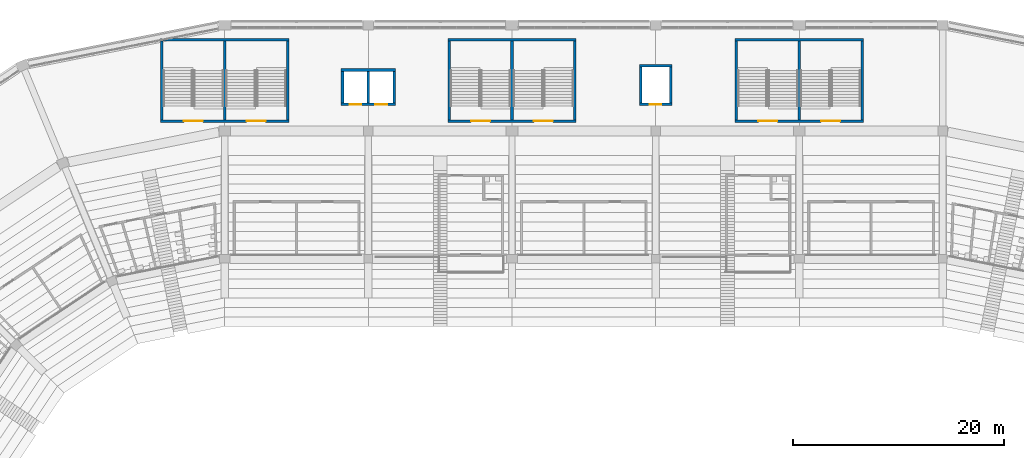
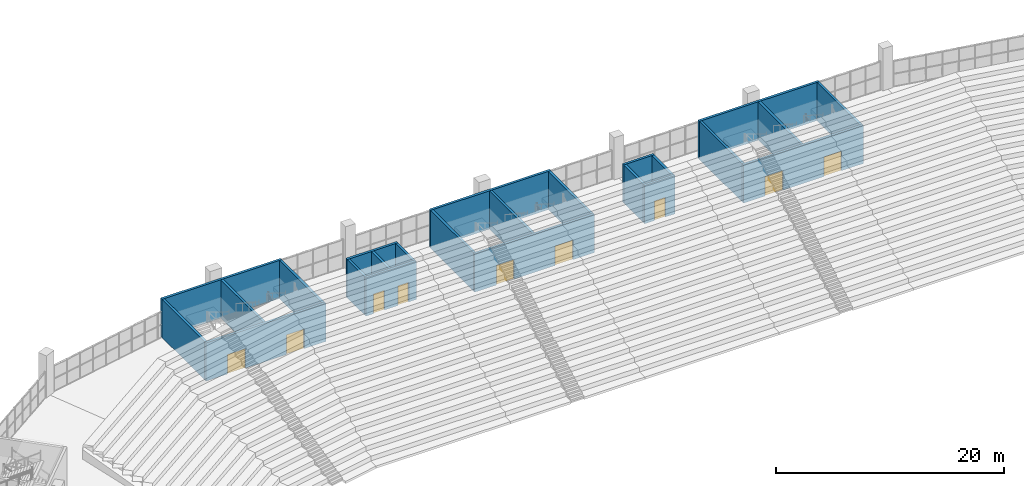
# One storey, part 97 of 249: 24 walls, 9 doors, 9 openings.
"""IFC4 building model written with IfcOpenShell, lengths in metres."""

import ifcopenshell
import ifcopenshell.guid

model = None  # the IFC model being written
_history = None  # IfcOwnerHistory: only IFC2X3 demands one
_inside = {}  # id of a spatial element -> (the spatial element, [elements in it])
_under = {}  # id of a project, library or spatial element -> (it, [spatial elements below it])
_declared = {}  # id of a project -> (the project, [libraries it declares])
_typed = {}  # id of a type object -> (the type object, [elements of that type])
_made_of = {}  # id of a material, layer set ... -> (it, [elements and type objects made of it])


def new_model(schema):
    """Start an empty IFC model of exactly this schema.

    Asked for "IFC4X3", IfcOpenShell would pick the latest addendum, in which some entities
    have other attributes; the version numbers below select the first issue.
    IFC2X3 requires an IfcOwnerHistory on every rooted entity: one is made here for all.
    """
    global model, _history
    if schema == "IFC4X3":
        model = ifcopenshell.file(schema_version=(4, 3, 0, 0))
    else:
        model = ifcopenshell.file(schema=schema)
    _inside.clear()
    _under.clear()
    _declared.clear()
    _typed.clear()
    _made_of.clear()
    _history = None
    if model.schema == "IFC2X3":
        org = make("IfcOrganization", Name="unknown")
        user = make(
            "IfcPersonAndOrganization",
            ThePerson=make("IfcPerson", FamilyName="unknown"),
            TheOrganization=org,
        )
        app = make(
            "IfcApplication",
            ApplicationDeveloper=org,
            Version="unknown",
            ApplicationFullName="unknown",
            ApplicationIdentifier="unknown",
        )
        _history = make(
            "IfcOwnerHistory",
            OwningUser=user,
            OwningApplication=app,
            ChangeAction="ADDED",
            CreationDate=0,
        )
    return model


def make(cls, **values):
    """One entity of the class cls with the attributes given. An attribute that is None is left unset."""
    return model.create_entity(
        cls, **{name: value for name, value in values.items() if value is not None}
    )


def rooted(cls, **values):
    """An entity with a GlobalId (a new one), such as an element, a storey or a relation."""
    return make(cls, GlobalId=ifcopenshell.guid.new(), OwnerHistory=_history, **values)


def si_unit(unit_type, name, prefix=None):
    """IfcSIUnit, for example si_unit("LENGTHUNIT", "METRE", prefix="MILLI")."""
    return make("IfcSIUnit", UnitType=unit_type, Prefix=prefix, Name=name)


def assignment(units):
    """IfcUnitAssignment: the units of a project."""
    return None if units is None else make("IfcUnitAssignment", Units=units)


def point(xyz):
    """IfcCartesianPoint."""
    return None if xyz is None else make("IfcCartesianPoint", Coordinates=xyz)


def direction(xyz):
    """IfcDirection."""
    return None if xyz is None else make("IfcDirection", DirectionRatios=xyz)


def frame(location, z_axis=None, x_axis=None):
    """IfcAxis2Placement3D, a coordinate frame: its origin and axes. An axis left out is left unset."""
    return make(
        "IfcAxis2Placement3D",
        Location=point(location),
        Axis=direction(z_axis),
        RefDirection=direction(x_axis),
    )


def frame_2d(location, x_axis=None):
    """IfcAxis2Placement2D, a coordinate frame in the plane: its origin and x axis."""
    return make(
        "IfcAxis2Placement2D", Location=point(location), RefDirection=direction(x_axis)
    )


def origin():
    """The frame at (0, 0, 0) with its axes left unset."""
    return frame((0.0, 0.0, 0.0))


def place(relative_to, where):
    """IfcLocalPlacement: puts the frame where relative to a parent placement (None: the world)."""
    return make(
        "IfcLocalPlacement", PlacementRelTo=relative_to, RelativePlacement=where
    )


def context(
    kind, dimensions, precision=None, world=None, true_north=None, identifier=None
):
    """IfcGeometricRepresentationContext, for example the 3D "Model" context."""
    return make(
        "IfcGeometricRepresentationContext",
        ContextIdentifier=identifier,
        ContextType=kind,
        CoordinateSpaceDimension=dimensions,
        Precision=precision,
        WorldCoordinateSystem=world,
        TrueNorth=true_north,
    )


def subcontext(parent, identifier, kind, view, scale=None):
    """IfcGeometricRepresentationSubContext, for example "Body" below "Model"."""
    return make(
        "IfcGeometricRepresentationSubContext",
        ContextIdentifier=identifier,
        ContextType=kind,
        ParentContext=parent,
        TargetScale=scale,
        TargetView=view,
    )


def project(units=None, contexts=None):
    """IfcProject with its units and contexts."""
    return rooted(
        "IfcProject",
        Name="project",
        RepresentationContexts=contexts,
        UnitsInContext=assignment(units),
    )


def spatial(cls, under=None, at=None, **own):
    """A site, building, storey or space (cls), placed at a placement, below another one or the project."""
    s = rooted(cls, ObjectPlacement=at, **own)
    if under is not None:
        _under.setdefault(under.id(), (under, []))[1].append(s)
    return s


def profile(cls, at=None, kind="AREA", **sizes):
    """A parametric profile (cls). Its sizes go by their IFC names, for example OverallWidth=200.0."""
    return make(cls, ProfileType=kind, Position=at, **sizes)


def rectangle(**sizes):
    """IfcRectangleProfileDef."""
    return profile("IfcRectangleProfileDef", **sizes)


def extrude(swept, where, along, depth):
    """IfcExtrudedAreaSolid: the profile swept, set in the frame where, extruded along a direction by depth."""
    return make(
        "IfcExtrudedAreaSolid",
        SweptArea=swept,
        Position=where,
        ExtrudedDirection=direction(along),
        Depth=depth,
    )


def shape(context_of_items, identifier, shape_type, items):
    """IfcShapeRepresentation: the items that make up one representation, for example the "Body"."""
    return make(
        "IfcShapeRepresentation",
        ContextOfItems=context_of_items,
        RepresentationIdentifier=identifier,
        RepresentationType=shape_type,
        Items=items,
    )


def material(Name=None, Category=None):
    """IfcMaterial."""
    return make("IfcMaterial", Name=Name, Category=Category)


def layer(
    of_material, thickness, ventilated=None, Name=None, Category=None, Priority=None
):
    """IfcMaterialLayer: one layer of a wall or slab, of a material (None: an air gap)."""
    return make(
        "IfcMaterialLayer",
        Material=of_material,
        LayerThickness=thickness,
        IsVentilated=ventilated,
        Name=Name,
        Category=Category,
        Priority=Priority,
    )


def layer_set(layers, Name=None):
    """IfcMaterialLayerSet."""
    return make("IfcMaterialLayerSet", MaterialLayers=layers, LayerSetName=Name)


def made_of(thing, what):
    """Note that an element or type object is made of a material, layer set ...; save() writes the relation."""
    if what is not None:
        _made_of.setdefault(what.id(), (what, []))[1].append(thing)
    return thing


def type_object(cls, material=None, **own):
    """A type object (cls), such as IfcWallType, which elements share."""
    return made_of(rooted(cls, **own), material)


def element(
    cls,
    number,
    at=None,
    inside=None,
    cuts=None,
    type_object=None,
    material=None,
    context=None,
    identifier="Body",
    shape_type=None,
    held_by="IfcProductDefinitionShape",
    body=None,
    shapes=None,
    **own,
):
    """One element of the class cls, such as IfcWall. Its Tag is "e" and its number.

    at: its placement. inside: the storey or other place that contains it. cuts: it is an
    opening in that element (IfcRelVoidsElement). A single representation is given by context,
    identifier, shape_type and body (its items); several are given by shapes. held_by: the class
    of the entity that holds the representations. save() writes the other relations.
    """
    e = rooted(cls, Tag="e%d" % number, ObjectPlacement=at, **own)
    if body is not None:
        shapes = [shape(context, identifier, shape_type, body)]
    if shapes is not None:
        e.Representation = make(held_by, Representations=shapes)
    if inside is not None:
        _inside.setdefault(inside.id(), (inside, []))[1].append(e)
    if cuts is not None:
        rooted(
            "IfcRelVoidsElement", RelatingBuildingElement=cuts, RelatedOpeningElement=e
        )
    if type_object is not None:
        _typed.setdefault(type_object.id(), (type_object, []))[1].append(e)
    return made_of(e, material)


def fill(opening, filler):
    """IfcRelFillsElement: the door or window that sits in an opening."""
    return rooted(
        "IfcRelFillsElement",
        RelatingOpeningElement=opening,
        RelatedBuildingElement=filler,
    )


def aggregate(whole, parts):
    """IfcRelAggregates: a whole, such as a stair, and the parts it consists of."""
    return rooted("IfcRelAggregates", RelatingObject=whole, RelatedObjects=parts)


def save(model, path):
    """Write the relations noted so far, then the file.

    IfcRelAggregates (storeys below a building ...), IfcRelContainedInSpatialStructure (elements
    in a storey), IfcRelDefinesByType, IfcRelAssociatesMaterial and IfcRelDeclares: one each for
    every whole, place, type object, material and project.
    """
    for whole, parts in _under.values():
        aggregate(whole, parts)
    for where, things in _inside.values():
        rooted(
            "IfcRelContainedInSpatialStructure",
            RelatedElements=things,
            RelatingStructure=where,
        )
    for kind, things in _typed.values():
        rooted("IfcRelDefinesByType", RelatedObjects=things, RelatingType=kind)
    for what, things in _made_of.values():
        rooted("IfcRelAssociatesMaterial", RelatedObjects=things, RelatingMaterial=what)
    for by, libraries in _declared.values():
        rooted("IfcRelDeclares", RelatingContext=by, RelatedDefinitions=libraries)
    model.write(path)


model = new_model("IFC4")

# Units and contexts
model_context = context("Model", 3, precision=1e-05, world=origin(), true_north=direction((0.0, 1.0)))
body_context = subcontext(model_context, "Body", "Model", "MODEL_VIEW")
ifc_project = project(units=[si_unit("LENGTHUNIT", "METRE"), si_unit("AREAUNIT", "SQUARE_METRE"), si_unit("VOLUMEUNIT", "CUBIC_METRE"), si_unit("PLANEANGLEUNIT", "RADIAN"), si_unit("MASSUNIT", "GRAM", prefix="KILO")], contexts=[model_context])

# Site, building, storey
site_placement = place(None, origin())
site = spatial("IfcSite", under=ifc_project, at=site_placement, CompositionType="ELEMENT")
building_placement = place(site_placement, origin())
building = spatial("IfcBuilding", under=site, at=building_placement, Name="Ogive Plaza Stadium", CompositionType="ELEMENT")
storey_placement = place(building_placement, frame((0.0, 0.0, 13.5)))
storey = spatial("IfcBuildingStorey", under=building, at=storey_placement, Name="L03", CompositionType="ELEMENT", Elevation=13.5)

# Wall, openings, doors
ifc_material_1 = material(Name="Concrete C40/50", Category="concrete")
ifc_layer = layer(ifc_material_1, 0.25)
ifc_layer_set = layer_set([ifc_layer], Name="Concrete C40/50")
wall_type = type_object("IfcWallType", Name="Core wall 250", PredefinedType="SHEAR", material=ifc_layer_set)
wall_1_placement = place(storey_placement, frame((-27.925048828125, 93.425048828125, 0.0), z_axis=(0.0, 0.0, 1.0), x_axis=(-1.0, 0.0, 0.0)))
wall_1 = element("IfcWall", 1, at=wall_1_placement, inside=storey, type_object=wall_type, Name="Stair core R32 inner wall", PredefinedType="SHEAR", context=body_context, shape_type="SweptSolid", body=[
    extrude(rectangle(XDim=12.14990234375, YDim=0.25, at=frame_2d((6.074951171875, 0.0))), origin(), (0.0, 0.0, 1.0), 4.090087890625),
])
opening_1_placement = place(wall_1_placement, frame((2.199951171875, 0.0, 0.0)))
opening_1 = element("IfcOpeningElement", 2, at=opening_1_placement, cuts=wall_1, Name="Opening D0241", PredefinedType="OPENING", context=body_context, shape_type="SweptSolid", body=[
    extrude(rectangle(XDim=1.800048828125, YDim=2.10009765625, at=frame_2d((0.89990234375, 1.050048828125))), frame((0.0, 0.125, 0.0), z_axis=(0.0, -1.0, 0.0), x_axis=(1.0, 0.0, 0.0)), (0.0, 0.0, 1.0), 0.25),
])
opening_2_placement = place(wall_1_placement, frame((8.14990234375, 0.0, 0.0)))
opening_2 = element("IfcOpeningElement", 3, at=opening_2_placement, cuts=wall_1, Name="Opening D0242", PredefinedType="OPENING", context=body_context, shape_type="SweptSolid", body=[
    extrude(rectangle(XDim=1.800048828125, YDim=2.10009765625, at=frame_2d((0.89990234375, 1.050048828125))), frame((0.0, 0.125, 0.0), z_axis=(0.0, -1.0, 0.0), x_axis=(1.0, 0.0, 0.0)), (0.0, 0.0, 1.0), 0.25),
])
ifc_material_2 = material(Name="Steel ASTM A572 Grade 50", Category="steel")
door_type_1 = type_object("IfcDoorType", Name="Fire door FD90 pair 1800 x 2100", OperationType="DOUBLE_DOOR_SINGLE_SWING", PredefinedType="DOOR", material=ifc_material_2)
door_1_placement = place(opening_1_placement, origin())
door_1 = element("IfcDoor", 4, at=door_1_placement, inside=storey, type_object=door_type_1, Name="Exit stair R32A door L03", OperationType="DOUBLE_DOOR_SINGLE_SWING", OverallHeight=2.10009765625, OverallWidth=1.800048828125, PredefinedType="DOOR", context=body_context, shape_type="SweptSolid", body=[
    extrude(rectangle(XDim=1.800048828125, YDim=2.10009765625, at=frame_2d((0.89990234375, 1.050048828125))), frame((0.0, 0.02490234375, 0.0), z_axis=(0.0, -1.0, 0.0), x_axis=(1.0, 0.0, 0.0)), (0.0, 0.0, 1.0), 0.050048828125),
])
fill(opening_1, door_1)
door_2_placement = place(opening_2_placement, origin())
door_2 = element("IfcDoor", 5, at=door_2_placement, inside=storey, type_object=door_type_1, Name="Exit stair R32B door L03", OperationType="DOUBLE_DOOR_SINGLE_SWING", OverallHeight=2.10009765625, OverallWidth=1.800048828125, PredefinedType="DOOR", context=body_context, shape_type="SweptSolid", body=[
    extrude(rectangle(XDim=1.800048828125, YDim=2.10009765625, at=frame_2d((0.89990234375, 1.050048828125))), frame((0.0, 0.02490234375, 0.0), z_axis=(0.0, -1.0, 0.0), x_axis=(1.0, 0.0, 0.0)), (0.0, 0.0, 1.0), 0.050048828125),
])
fill(opening_2, door_2)

# Walls
wall_2_placement = place(storey_placement, frame((-27.925048828125, 101.135009765625, 0.0), z_axis=(0.0, 0.0, 1.0), x_axis=(-1.0, 0.0, 0.0)))
element("IfcWall", 6, at=wall_2_placement, inside=storey, type_object=wall_type, Name="Stair core R32 outer wall", PredefinedType="SHEAR", context=body_context, shape_type="SweptSolid", body=[
    extrude(rectangle(XDim=12.14990234375, YDim=0.25, at=frame_2d((6.074951171875, 0.0))), origin(), (0.0, 0.0, 1.0), 4.090087890625),
])
for number, where, z_axis, x_axis, name in (
    (7, (-28.050048828125, 93.550048828125, 0.0), (0.0, 0.0, 1.0), (0.0, 1.0, 0.0), "Stair core R32 side wall"),
    (8, (-39.949951171875, 93.550048828125, 0.0), (0.0, 0.0, 1.0), (0.0, 1.0, 0.0), "Stair core R32 side wall"),
    (9, (-34.0, 93.550048828125, 0.0), (0.0, 0.0, 1.0), (0.0, 1.0, 0.0), "Stair core R32 centre wall"),
):
    element("IfcWall", number, at=place(storey_placement, frame(where, z_axis=z_axis, x_axis=x_axis)), inside=storey, type_object=wall_type, Name=name, PredefinedType="SHEAR", context=body_context, shape_type="SweptSolid", body=[
        extrude(rectangle(XDim=7.4599609375, YDim=0.25, at=frame_2d((3.72998046875, 0.0))), origin(), (0.0, 0.0, 1.0), 4.090087890625),
    ])

# Wall, openings, doors
wall_3_placement = place(storey_placement, frame((-0.72509765625, 93.425048828125, 0.0), z_axis=(0.0, 0.0, 1.0), x_axis=(-1.0, 0.0, 0.0)))
wall_3 = element("IfcWall", 10, at=wall_3_placement, inside=storey, type_object=wall_type, Name="Stair core R34 inner wall", PredefinedType="SHEAR", context=body_context, shape_type="SweptSolid", body=[
    extrude(rectangle(XDim=12.14990234375, YDim=0.25, at=frame_2d((6.074951171875, 0.0))), origin(), (0.0, 0.0, 1.0), 4.090087890625),
])
opening_3_placement = place(wall_3_placement, frame((2.199951171875, 0.0, 0.0)))
opening_3 = element("IfcOpeningElement", 11, at=opening_3_placement, cuts=wall_3, Name="Opening D0253", PredefinedType="OPENING", context=body_context, shape_type="SweptSolid", body=[
    extrude(rectangle(XDim=1.800048828125, YDim=2.10009765625, at=frame_2d((0.89990234375, 1.050048828125))), frame((0.0, 0.125, 0.0), z_axis=(0.0, -1.0, 0.0), x_axis=(1.0, 0.0, 0.0)), (0.0, 0.0, 1.0), 0.25),
])
opening_4_placement = place(wall_3_placement, frame((8.14990234375, 0.0, 0.0)))
opening_4 = element("IfcOpeningElement", 12, at=opening_4_placement, cuts=wall_3, Name="Opening D0254", PredefinedType="OPENING", context=body_context, shape_type="SweptSolid", body=[
    extrude(rectangle(XDim=1.800048828125, YDim=2.10009765625, at=frame_2d((0.89990234375, 1.050048828125))), frame((0.0, 0.125, 0.0), z_axis=(0.0, -1.0, 0.0), x_axis=(1.0, 0.0, 0.0)), (0.0, 0.0, 1.0), 0.25),
])
door_3_placement = place(opening_3_placement, origin())
door_3 = element("IfcDoor", 13, at=door_3_placement, inside=storey, type_object=door_type_1, Name="Exit stair R34A door L03", OperationType="DOUBLE_DOOR_SINGLE_SWING", OverallHeight=2.10009765625, OverallWidth=1.800048828125, PredefinedType="DOOR", context=body_context, shape_type="SweptSolid", body=[
    extrude(rectangle(XDim=1.800048828125, YDim=2.10009765625, at=frame_2d((0.89990234375, 1.050048828125))), frame((0.0, 0.02490234375, 0.0), z_axis=(0.0, -1.0, 0.0), x_axis=(1.0, 0.0, 0.0)), (0.0, 0.0, 1.0), 0.050048828125),
])
fill(opening_3, door_3)
door_4_placement = place(opening_4_placement, origin())
door_4 = element("IfcDoor", 14, at=door_4_placement, inside=storey, type_object=door_type_1, Name="Exit stair R34B door L03", OperationType="DOUBLE_DOOR_SINGLE_SWING", OverallHeight=2.10009765625, OverallWidth=1.800048828125, PredefinedType="DOOR", context=body_context, shape_type="SweptSolid", body=[
    extrude(rectangle(XDim=1.800048828125, YDim=2.10009765625, at=frame_2d((0.89990234375, 1.050048828125))), frame((0.0, 0.02490234375, 0.0), z_axis=(0.0, -1.0, 0.0), x_axis=(1.0, 0.0, 0.0)), (0.0, 0.0, 1.0), 0.050048828125),
])
fill(opening_4, door_4)

# Walls
wall_4_placement = place(storey_placement, frame((-0.72509765625, 101.135009765625, 0.0), z_axis=(0.0, 0.0, 1.0), x_axis=(-1.0, 0.0, 0.0)))
element("IfcWall", 15, at=wall_4_placement, inside=storey, type_object=wall_type, Name="Stair core R34 outer wall", PredefinedType="SHEAR", context=body_context, shape_type="SweptSolid", body=[
    extrude(rectangle(XDim=12.14990234375, YDim=0.25, at=frame_2d((6.074951171875, 0.0))), origin(), (0.0, 0.0, 1.0), 4.090087890625),
])
for number, where, z_axis, x_axis, name in (
    (16, (-0.85009765625, 93.550048828125, 0.0), (0.0, 0.0, 1.0), (0.0, 1.0, 0.0), "Stair core R34 side wall"),
    (17, (-12.75, 93.550048828125, 0.0), (0.0, 0.0, 1.0), (0.0, 1.0, 0.0), "Stair core R34 side wall"),
    (18, (-6.800048828125, 93.550048828125, 0.0), (0.0, 0.0, 1.0), (0.0, 1.0, 0.0), "Stair core R34 centre wall"),
):
    element("IfcWall", number, at=place(storey_placement, frame(where, z_axis=z_axis, x_axis=x_axis)), inside=storey, type_object=wall_type, Name=name, PredefinedType="SHEAR", context=body_context, shape_type="SweptSolid", body=[
        extrude(rectangle(XDim=7.4599609375, YDim=0.25, at=frame_2d((3.72998046875, 0.0))), origin(), (0.0, 0.0, 1.0), 4.090087890625),
    ])

# Wall, openings, doors
wall_5_placement = place(storey_placement, frame((26.47509765625, 93.425048828125, 0.0), z_axis=(0.0, 0.0, 1.0), x_axis=(-1.0, 0.0, 0.0)))
wall_5 = element("IfcWall", 19, at=wall_5_placement, inside=storey, type_object=wall_type, Name="Stair core R36 inner wall", PredefinedType="SHEAR", context=body_context, shape_type="SweptSolid", body=[
    extrude(rectangle(XDim=12.150146484375, YDim=0.25, at=frame_2d((6.0751953125, 0.0))), origin(), (0.0, 0.0, 1.0), 4.090087890625),
])
opening_5_placement = place(wall_5_placement, frame((2.199951171875, 0.0, 0.0)))
opening_5 = element("IfcOpeningElement", 20, at=opening_5_placement, cuts=wall_5, Name="Opening D0267", PredefinedType="OPENING", context=body_context, shape_type="SweptSolid", body=[
    extrude(rectangle(XDim=1.800048828125, YDim=2.10009765625, at=frame_2d((0.89990234375, 1.050048828125))), frame((0.0, 0.125, 0.0), z_axis=(0.0, -1.0, 0.0), x_axis=(1.0, 0.0, 0.0)), (0.0, 0.0, 1.0), 0.25),
])
opening_6_placement = place(wall_5_placement, frame((8.14990234375, 0.0, 0.0)))
opening_6 = element("IfcOpeningElement", 21, at=opening_6_placement, cuts=wall_5, Name="Opening D0268", PredefinedType="OPENING", context=body_context, shape_type="SweptSolid", body=[
    extrude(rectangle(XDim=1.800048828125, YDim=2.10009765625, at=frame_2d((0.89990234375, 1.050048828125))), frame((0.0, 0.125, 0.0), z_axis=(0.0, -1.0, 0.0), x_axis=(1.0, 0.0, 0.0)), (0.0, 0.0, 1.0), 0.25),
])
door_5_placement = place(opening_5_placement, origin())
door_5 = element("IfcDoor", 22, at=door_5_placement, inside=storey, type_object=door_type_1, Name="Exit stair R36A door L03", OperationType="DOUBLE_DOOR_SINGLE_SWING", OverallHeight=2.10009765625, OverallWidth=1.800048828125, PredefinedType="DOOR", context=body_context, shape_type="SweptSolid", body=[
    extrude(rectangle(XDim=1.800048828125, YDim=2.10009765625, at=frame_2d((0.89990234375, 1.050048828125))), frame((0.0, 0.02490234375, 0.0), z_axis=(0.0, -1.0, 0.0), x_axis=(1.0, 0.0, 0.0)), (0.0, 0.0, 1.0), 0.050048828125),
])
fill(opening_5, door_5)
door_6_placement = place(opening_6_placement, origin())
door_6 = element("IfcDoor", 23, at=door_6_placement, inside=storey, type_object=door_type_1, Name="Exit stair R36B door L03", OperationType="DOUBLE_DOOR_SINGLE_SWING", OverallHeight=2.10009765625, OverallWidth=1.800048828125, PredefinedType="DOOR", context=body_context, shape_type="SweptSolid", body=[
    extrude(rectangle(XDim=1.800048828125, YDim=2.10009765625, at=frame_2d((0.89990234375, 1.050048828125))), frame((0.0, 0.02490234375, 0.0), z_axis=(0.0, -1.0, 0.0), x_axis=(1.0, 0.0, 0.0)), (0.0, 0.0, 1.0), 0.050048828125),
])
fill(opening_6, door_6)

# Walls
wall_6_placement = place(storey_placement, frame((26.47509765625, 101.135009765625, 0.0), z_axis=(0.0, 0.0, 1.0), x_axis=(-1.0, 0.0, 0.0)))
element("IfcWall", 24, at=wall_6_placement, inside=storey, type_object=wall_type, Name="Stair core R36 outer wall", PredefinedType="SHEAR", context=body_context, shape_type="SweptSolid", body=[
    extrude(rectangle(XDim=12.150146484375, YDim=0.25, at=frame_2d((6.0751953125, 0.0))), origin(), (0.0, 0.0, 1.0), 4.090087890625),
])
for number, where, z_axis, x_axis, name in (
    (25, (26.35009765625, 93.550048828125, 0.0), (0.0, 0.0, 1.0), (0.0, 1.0, 0.0), "Stair core R36 side wall"),
    (26, (14.449951171875, 93.550048828125, 0.0), (0.0, 0.0, 1.0), (0.0, 1.0, 0.0), "Stair core R36 side wall"),
    (27, (20.39990234375, 93.550048828125, 0.0), (0.0, 0.0, 1.0), (0.0, 1.0, 0.0), "Stair core R36 centre wall"),
):
    element("IfcWall", number, at=place(storey_placement, frame(where, z_axis=z_axis, x_axis=x_axis)), inside=storey, type_object=wall_type, Name=name, PredefinedType="SHEAR", context=body_context, shape_type="SweptSolid", body=[
        extrude(rectangle(XDim=7.4599609375, YDim=0.25, at=frame_2d((3.72998046875, 0.0))), origin(), (0.0, 0.0, 1.0), 4.090087890625),
    ])

# Wall, openings, doors
wall_7_placement = place(storey_placement, frame((-17.824951171875, 95.02490234375, 0.0), z_axis=(0.0, 0.0, 1.0), x_axis=(-1.0, 0.0, 0.0)))
wall_7 = element("IfcWall", 28, at=wall_7_placement, inside=storey, type_object=wall_type, Name="Lift core LP33 landing wall", PredefinedType="SHEAR", context=body_context, shape_type="SweptSolid", body=[
    extrude(rectangle(XDim=5.150146484375, YDim=0.25, at=frame_2d((2.5751953125, 0.0))), origin(), (0.0, 0.0, 1.0), 4.090087890625),
])
opening_7_placement = place(wall_7_placement, frame((0.800048828125, 0.0, 0.0)))
opening_7 = element("IfcOpeningElement", 29, at=opening_7_placement, cuts=wall_7, Name="Opening LD078", PredefinedType="OPENING", context=body_context, shape_type="SweptSolid", body=[
    extrude(rectangle(XDim=1.10009765625, YDim=2.10009765625, at=frame_2d((0.550048828125, 1.050048828125))), frame((0.0, 0.125, 0.0), z_axis=(0.0, -1.0, 0.0), x_axis=(1.0, 0.0, 0.0)), (0.0, 0.0, 1.0), 0.25),
])
opening_8_placement = place(wall_7_placement, frame((3.25, 0.0, 0.0)))
opening_8 = element("IfcOpeningElement", 30, at=opening_8_placement, cuts=wall_7, Name="Opening LD079", PredefinedType="OPENING", context=body_context, shape_type="SweptSolid", body=[
    extrude(rectangle(XDim=1.10009765625, YDim=2.10009765625, at=frame_2d((0.550048828125, 1.050048828125))), frame((0.0, 0.125, 0.0), z_axis=(0.0, -1.0, 0.0), x_axis=(1.0, 0.0, 0.0)), (0.0, 0.0, 1.0), 0.25),
])
ifc_material_3 = material(Name="Steel ASTM A572 Grade 50", Category="steel")
door_type_2 = type_object("IfcDoorType", Name="Landing door 1100 x 2100", OperationType="SLIDING_TO_LEFT", PredefinedType="DOOR", material=ifc_material_3)
door_7_placement = place(opening_7_placement, origin())
door_7 = element("IfcDoor", 31, at=door_7_placement, inside=storey, type_object=door_type_2, Name="Lift landing door LP33 L03", OperationType="SLIDING_TO_LEFT", OverallHeight=2.10009765625, OverallWidth=1.10009765625, PredefinedType="DOOR", context=body_context, shape_type="SweptSolid", body=[
    extrude(rectangle(XDim=1.10009765625, YDim=2.10009765625, at=frame_2d((0.550048828125, 1.050048828125))), frame((0.0, 0.02490234375, 0.0), z_axis=(0.0, -1.0, 0.0), x_axis=(1.0, 0.0, 0.0)), (0.0, 0.0, 1.0), 0.050048828125),
])
fill(opening_7, door_7)
door_8_placement = place(opening_8_placement, origin())
door_8 = element("IfcDoor", 32, at=door_8_placement, inside=storey, type_object=door_type_2, Name="Lift landing door LP33 L03", OperationType="SLIDING_TO_LEFT", OverallHeight=2.10009765625, OverallWidth=1.10009765625, PredefinedType="DOOR", context=body_context, shape_type="SweptSolid", body=[
    extrude(rectangle(XDim=1.10009765625, YDim=2.10009765625, at=frame_2d((0.550048828125, 1.050048828125))), frame((0.0, 0.02490234375, 0.0), z_axis=(0.0, -1.0, 0.0), x_axis=(1.0, 0.0, 0.0)), (0.0, 0.0, 1.0), 0.050048828125),
])
fill(opening_8, door_8)

# Walls
wall_8_placement = place(storey_placement, frame((-17.824951171875, 98.27490234375, 0.0), z_axis=(0.0, 0.0, 1.0), x_axis=(-1.0, 0.0, 0.0)))
element("IfcWall", 33, at=wall_8_placement, inside=storey, type_object=wall_type, Name="Lift core LP33 rear wall", PredefinedType="SHEAR", context=body_context, shape_type="SweptSolid", body=[
    extrude(rectangle(XDim=5.150146484375, YDim=0.25, at=frame_2d((2.5751953125, 0.0))), origin(), (0.0, 0.0, 1.0), 4.090087890625),
])
for number, where, z_axis, x_axis, name in (
    (34, (-17.949951171875, 95.14990234375, 0.0), (0.0, 0.0, 1.0), (0.0, 1.0, 0.0), "Lift core LP33 side wall"),
    (35, (-22.85009765625, 95.14990234375, 0.0), (0.0, 0.0, 1.0), (0.0, 1.0, 0.0), "Lift core LP33 side wall"),
    (36, (-20.39990234375, 95.14990234375, 0.0), (0.0, 0.0, 1.0), (0.0, 1.0, 0.0), "Lift core LP33 centre wall"),
):
    element("IfcWall", number, at=place(storey_placement, frame(where, z_axis=z_axis, x_axis=x_axis)), inside=storey, type_object=wall_type, Name=name, PredefinedType="SHEAR", context=body_context, shape_type="SweptSolid", body=[
        extrude(rectangle(XDim=3.0, YDim=0.25, at=frame_2d((1.5, 0.0))), origin(), (0.0, 0.0, 1.0), 4.090087890625),
    ])

# Wall, opening, door
wall_9_placement = place(storey_placement, frame((8.35009765625, 95.02490234375, 0.0), z_axis=(0.0, 0.0, 1.0), x_axis=(-1.0, 0.0, 0.0)))
wall_9 = element("IfcWall", 37, at=wall_9_placement, inside=storey, type_object=wall_type, Name="Lift core LS35 landing wall", PredefinedType="SHEAR", context=body_context, shape_type="SweptSolid", body=[
    extrude(rectangle(XDim=3.10009765625, YDim=0.25, at=frame_2d((1.550048828125, 0.0))), origin(), (0.0, 0.0, 1.0), 4.090087890625),
])
opening_9_placement = place(wall_9_placement, frame((1.0, 0.0, 0.0)))
opening_9 = element("IfcOpeningElement", 38, at=opening_9_placement, cuts=wall_9, Name="Opening LD088", PredefinedType="OPENING", context=body_context, shape_type="SweptSolid", body=[
    extrude(rectangle(XDim=1.10009765625, YDim=2.10009765625, at=frame_2d((0.550048828125, 1.050048828125))), frame((0.0, 0.125, 0.0), z_axis=(0.0, -1.0, 0.0), x_axis=(1.0, 0.0, 0.0)), (0.0, 0.0, 1.0), 0.25),
])
door_9_placement = place(opening_9_placement, origin())
door_9 = element("IfcDoor", 39, at=door_9_placement, inside=storey, type_object=door_type_2, Name="Lift landing door LS35 L03", OperationType="SLIDING_TO_LEFT", OverallHeight=2.10009765625, OverallWidth=1.10009765625, PredefinedType="DOOR", context=body_context, shape_type="SweptSolid", body=[
    extrude(rectangle(XDim=1.10009765625, YDim=2.10009765625, at=frame_2d((0.550048828125, 1.050048828125))), frame((0.0, 0.02490234375, 0.0), z_axis=(0.0, -1.0, 0.0), x_axis=(1.0, 0.0, 0.0)), (0.0, 0.0, 1.0), 0.050048828125),
])
fill(opening_9, door_9)

# Walls
wall_10_placement = place(storey_placement, frame((8.35009765625, 98.675048828125, 0.0), z_axis=(0.0, 0.0, 1.0), x_axis=(-1.0, 0.0, 0.0)))
element("IfcWall", 40, at=wall_10_placement, inside=storey, type_object=wall_type, Name="Lift core LS35 rear wall", PredefinedType="SHEAR", context=body_context, shape_type="SweptSolid", body=[
    extrude(rectangle(XDim=3.10009765625, YDim=0.25, at=frame_2d((1.550048828125, 0.0))), origin(), (0.0, 0.0, 1.0), 4.090087890625),
])
for number, where, z_axis, x_axis, name in (
    (41, (8.22509765625, 95.14990234375, 0.0), (0.0, 0.0, 1.0), (0.0, 1.0, 0.0), "Lift core LS35 side wall"),
    (42, (5.375, 95.14990234375, 0.0), (0.0, 0.0, 1.0), (0.0, 1.0, 0.0), "Lift core LS35 side wall"),
):
    element("IfcWall", number, at=place(storey_placement, frame(where, z_axis=z_axis, x_axis=x_axis)), inside=storey, type_object=wall_type, Name=name, PredefinedType="SHEAR", context=body_context, shape_type="SweptSolid", body=[
        extrude(rectangle(XDim=3.400146484375, YDim=0.25, at=frame_2d((1.7001953125, 0.0))), origin(), (0.0, 0.0, 1.0), 4.090087890625),
    ])

save(model, "model.ifc")
